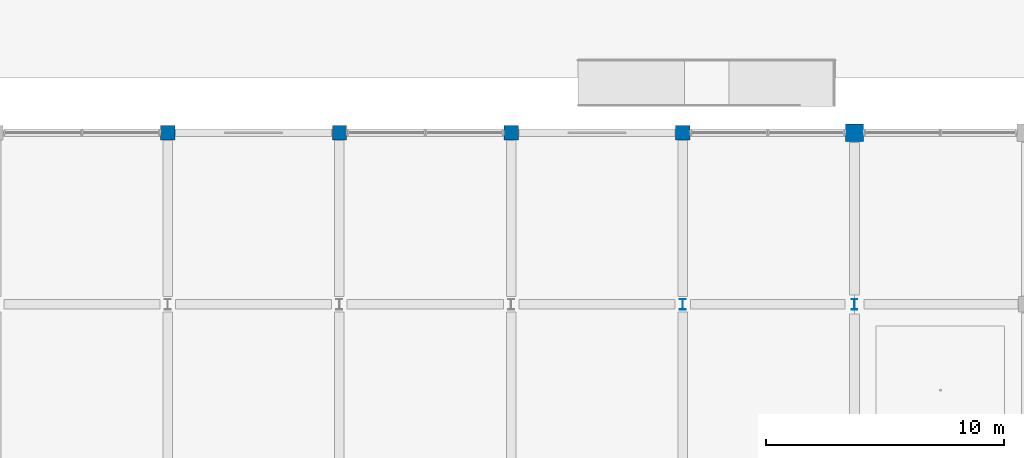
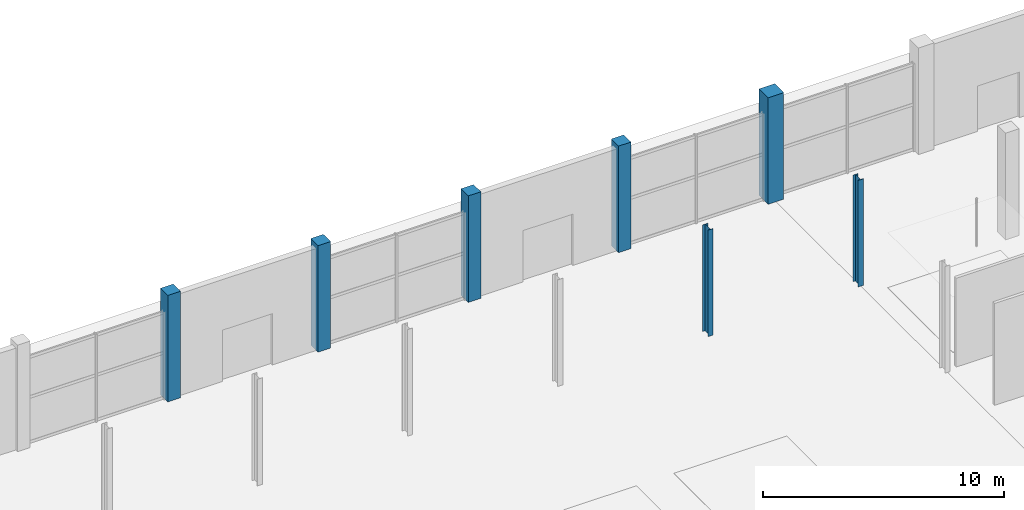
# One storey, part 8 of 90: 7 columns.
"""IFC4 building model written with IfcOpenShell, lengths in metres."""

from ifc_helpers import new_model, si_unit, direction, frame, origin, origin_2d, place, context, subcontext, project, spatial, rectangle, i_section, extrude, material, material_profile, profile_set, type_object, element, save


model = new_model("IFC4")

# Units and contexts
model_context = context("Model", 3, precision=1e-05, world=origin(), true_north=direction((0.0, 1.0)))
body_context = subcontext(model_context, "Body", "Model", "MODEL_VIEW")
ifc_project = project(units=[si_unit("LENGTHUNIT", "METRE"), si_unit("AREAUNIT", "SQUARE_METRE"), si_unit("VOLUMEUNIT", "CUBIC_METRE"), si_unit("PLANEANGLEUNIT", "RADIAN"), si_unit("MASSUNIT", "GRAM", prefix="KILO")], contexts=[model_context])

# Site, building, storey
site_placement = place(None, origin())
site = spatial("IfcSite", under=ifc_project, at=site_placement, CompositionType="ELEMENT")
building_placement = place(site_placement, origin())
building = spatial("IfcBuilding", under=site, at=building_placement, Name="Kangsadwip Square Police Headquarters", CompositionType="ELEMENT")
storey_placement = place(building_placement, origin())
storey = spatial("IfcBuildingStorey", under=building, at=storey_placement, Name="L00", CompositionType="ELEMENT", Elevation=0.0)

# Columns
ifc_material_1 = material(Name="Concrete M35 (35 MPa)", Category="concrete")
ifc_material_profile_1 = material_profile(ifc_material_1, rectangle(XDim=0.60009765625, YDim=0.60009765625, at=origin_2d()), Name="RC COL 600X600")
ifc_profile_set_1 = profile_set([ifc_material_profile_1], Name="Concrete M35 (35 MPa)")
column_type_1 = type_object("IfcColumnType", Name="RcCol600x600", PredefinedType="COLUMN", material=ifc_profile_set_1)
for number, where, z_axis, x_axis, name in (
    (1, (64.800048828125, 115.199951171875, 0.0), (0.0, 0.0, 1.0), (1.0, 0.0, 0.0), "Column COL-L00-09-16"),
    (2, (72.0, 115.199951171875, 0.0), (0.0, 0.0, 1.0), (1.0, 0.0, 0.0), "Column COL-L00-10-16"),
    (3, (79.199951171875, 115.199951171875, 0.0), (0.0, 0.0, 1.0), (1.0, 0.0, 0.0), "Column COL-L00-11-16"),
    (4, (86.39990234375, 115.199951171875, 0.0), (0.0, 0.0, 1.0), (1.0, 0.0, 0.0), "Column COL-L00-12-16"),
):
    element("IfcColumn", number, at=place(storey_placement, frame(where, z_axis=z_axis, x_axis=x_axis)), inside=storey, type_object=column_type_1, Name=name, PredefinedType="COLUMN", context=body_context, shape_type="SweptSolid", body=[
        extrude(rectangle(XDim=0.60009765625, YDim=0.60009765625, at=origin_2d()), origin(), (0.0, 0.0, 1.0), 5.39990234375),
    ])
ifc_material_2 = material(Name="Concrete M40 (40 MPa)", Category="concrete")
ifc_material_profile_2 = material_profile(ifc_material_2, rectangle(XDim=0.75, YDim=0.75, at=origin_2d()), Name="RC COL 750X750")
ifc_profile_set_2 = profile_set([ifc_material_profile_2], Name="Concrete M40 (40 MPa)")
column_type_2 = type_object("IfcColumnType", Name="RcCol750x750", PredefinedType="COLUMN", material=ifc_profile_set_2)
column_placement = place(storey_placement, frame((93.60009765625, 115.199951171875, 0.0), z_axis=(0.0, 0.0, 1.0), x_axis=(1.0, 0.0, 0.0)))
element("IfcColumn", 5, at=column_placement, inside=storey, type_object=column_type_2, Name="Column COL-L00-13-16", PredefinedType="COLUMN", context=body_context, shape_type="SweptSolid", body=[
    extrude(rectangle(XDim=0.75, YDim=0.75, at=origin_2d()), origin(), (0.0, 0.0, 1.0), 5.39990234375),
])
ifc_material_3 = material(Name="Structural steel IS 2062 E350 (Grade 350, 350 MPa)", Category="steel")
ifc_material_profile_3 = material_profile(ifc_material_3, i_section(OverallWidth=0.25, OverallDepth=0.449951171875, WebThickness=0.01123046875, FlangeThickness=0.013671875, at=origin_2d()), Name="ISHB 450")
ifc_profile_set_3 = profile_set([ifc_material_profile_3], Name="Structural steel IS 2062 E350 (Grade 350, 350 MPa)")
column_type_3 = type_object("IfcColumnType", Name="SteelColIshb450", PredefinedType="COLUMN", material=ifc_profile_set_3)
for number, where, z_axis, x_axis, name in (
    (6, (86.39990234375, 108.0, 0.0), (0.0, 0.0, 1.0), (1.0, 0.0, 0.0), "Column COL-L00-12-15"),
    (7, (93.60009765625, 108.0, 0.0), (0.0, 0.0, 1.0), (1.0, 0.0, 0.0), "Column COL-L00-13-15"),
):
    element("IfcColumn", number, at=place(storey_placement, frame(where, z_axis=z_axis, x_axis=x_axis)), inside=storey, type_object=column_type_3, Name=name, PredefinedType="COLUMN", context=body_context, shape_type="SweptSolid", body=[
        extrude(i_section(OverallWidth=0.25, OverallDepth=0.449951171875, WebThickness=0.01123046875, FlangeThickness=0.013671875, at=origin_2d()), origin(), (0.0, 0.0, 1.0), 5.39990234375),
    ])

save(model, "model.ifc")
